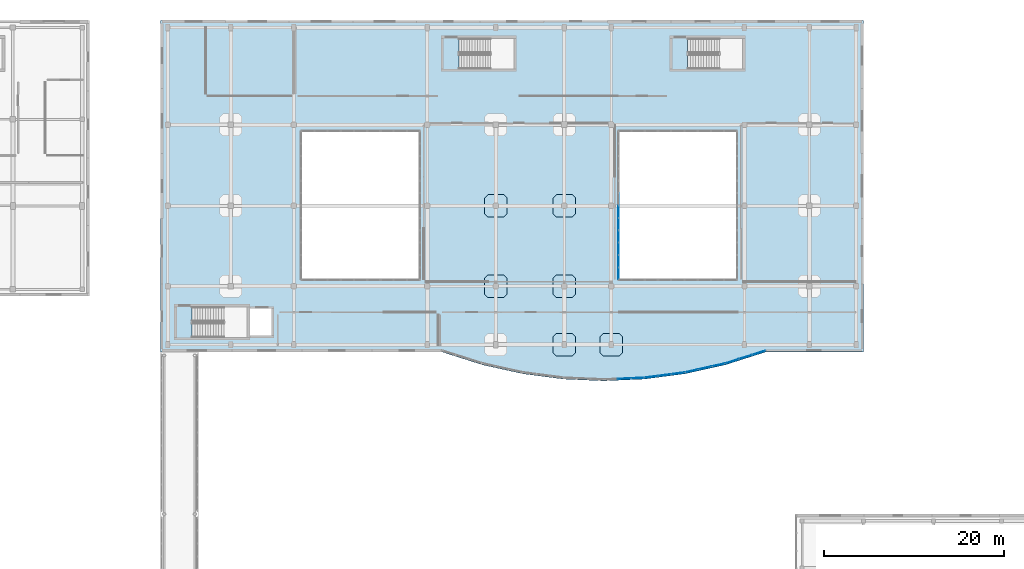
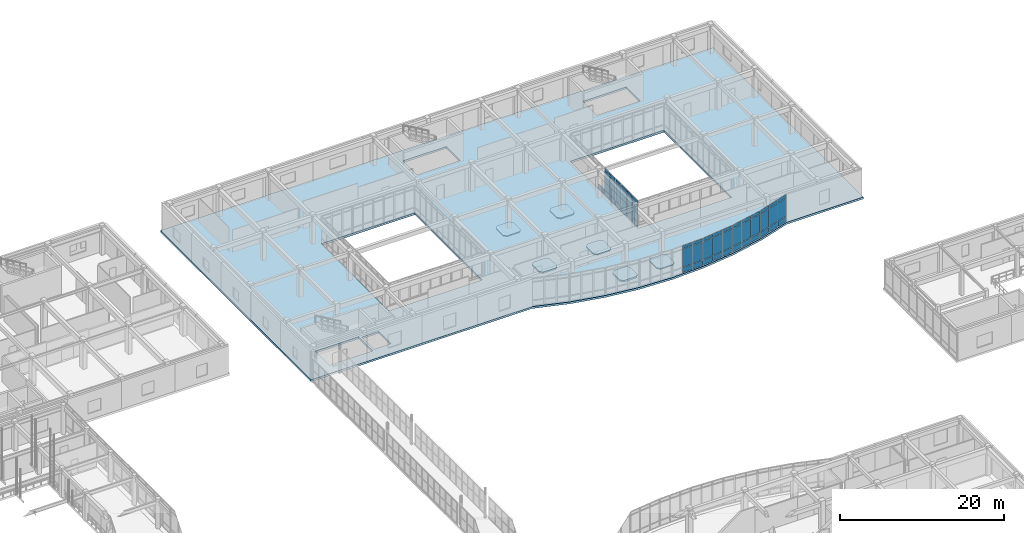
# One storey, part 112 of 142: 52 plates, 7 slabs, 6 elements without a shape of their own.
"""IFC4 building model written with IfcOpenShell, lengths in metres."""

import ifcopenshell
import ifcopenshell.guid

model = None  # the IFC model being written
_history = None  # IfcOwnerHistory: only IFC2X3 demands one
_inside = {}  # id of a spatial element -> (the spatial element, [elements in it])
_under = {}  # id of a project, library or spatial element -> (it, [spatial elements below it])
_declared = {}  # id of a project -> (the project, [libraries it declares])
_typed = {}  # id of a type object -> (the type object, [elements of that type])
_made_of = {}  # id of a material, layer set ... -> (it, [elements and type objects made of it])


def new_model(schema):
    """Start an empty IFC model of exactly this schema.

    Asked for "IFC4X3", IfcOpenShell would pick the latest addendum, in which some entities
    have other attributes; the version numbers below select the first issue.
    IFC2X3 requires an IfcOwnerHistory on every rooted entity: one is made here for all.
    """
    global model, _history
    if schema == "IFC4X3":
        model = ifcopenshell.file(schema_version=(4, 3, 0, 0))
    else:
        model = ifcopenshell.file(schema=schema)
    _inside.clear()
    _under.clear()
    _declared.clear()
    _typed.clear()
    _made_of.clear()
    _history = None
    if model.schema == "IFC2X3":
        org = make("IfcOrganization", Name="unknown")
        user = make(
            "IfcPersonAndOrganization",
            ThePerson=make("IfcPerson", FamilyName="unknown"),
            TheOrganization=org,
        )
        app = make(
            "IfcApplication",
            ApplicationDeveloper=org,
            Version="unknown",
            ApplicationFullName="unknown",
            ApplicationIdentifier="unknown",
        )
        _history = make(
            "IfcOwnerHistory",
            OwningUser=user,
            OwningApplication=app,
            ChangeAction="ADDED",
            CreationDate=0,
        )
    return model


def make(cls, **values):
    """One entity of the class cls with the attributes given. An attribute that is None is left unset."""
    return model.create_entity(
        cls, **{name: value for name, value in values.items() if value is not None}
    )


def rooted(cls, **values):
    """An entity with a GlobalId (a new one), such as an element, a storey or a relation."""
    return make(cls, GlobalId=ifcopenshell.guid.new(), OwnerHistory=_history, **values)


def si_unit(unit_type, name, prefix=None):
    """IfcSIUnit, for example si_unit("LENGTHUNIT", "METRE", prefix="MILLI")."""
    return make("IfcSIUnit", UnitType=unit_type, Prefix=prefix, Name=name)


def assignment(units):
    """IfcUnitAssignment: the units of a project."""
    return None if units is None else make("IfcUnitAssignment", Units=units)


def point(xyz):
    """IfcCartesianPoint."""
    return None if xyz is None else make("IfcCartesianPoint", Coordinates=xyz)


def direction(xyz):
    """IfcDirection."""
    return None if xyz is None else make("IfcDirection", DirectionRatios=xyz)


def frame(location, z_axis=None, x_axis=None):
    """IfcAxis2Placement3D, a coordinate frame: its origin and axes. An axis left out is left unset."""
    return make(
        "IfcAxis2Placement3D",
        Location=point(location),
        Axis=direction(z_axis),
        RefDirection=direction(x_axis),
    )


def frame_2d(location, x_axis=None):
    """IfcAxis2Placement2D, a coordinate frame in the plane: its origin and x axis."""
    return make(
        "IfcAxis2Placement2D", Location=point(location), RefDirection=direction(x_axis)
    )


def origin():
    """The frame at (0, 0, 0) with its axes left unset."""
    return frame((0.0, 0.0, 0.0))


def origin_2d():
    """The frame at (0, 0) in the plane with its x axis left unset."""
    return frame_2d((0.0, 0.0))


def place(relative_to, where):
    """IfcLocalPlacement: puts the frame where relative to a parent placement (None: the world)."""
    return make(
        "IfcLocalPlacement", PlacementRelTo=relative_to, RelativePlacement=where
    )


def context(
    kind, dimensions, precision=None, world=None, true_north=None, identifier=None
):
    """IfcGeometricRepresentationContext, for example the 3D "Model" context."""
    return make(
        "IfcGeometricRepresentationContext",
        ContextIdentifier=identifier,
        ContextType=kind,
        CoordinateSpaceDimension=dimensions,
        Precision=precision,
        WorldCoordinateSystem=world,
        TrueNorth=true_north,
    )


def subcontext(parent, identifier, kind, view, scale=None):
    """IfcGeometricRepresentationSubContext, for example "Body" below "Model"."""
    return make(
        "IfcGeometricRepresentationSubContext",
        ContextIdentifier=identifier,
        ContextType=kind,
        ParentContext=parent,
        TargetScale=scale,
        TargetView=view,
    )


def project(units=None, contexts=None):
    """IfcProject with its units and contexts."""
    return rooted(
        "IfcProject",
        Name="project",
        RepresentationContexts=contexts,
        UnitsInContext=assignment(units),
    )


def spatial(cls, under=None, at=None, **own):
    """A site, building, storey or space (cls), placed at a placement, below another one or the project."""
    s = rooted(cls, ObjectPlacement=at, **own)
    if under is not None:
        _under.setdefault(under.id(), (under, []))[1].append(s)
    return s


def polyline(points):
    """IfcPolyline through the points."""
    return make("IfcPolyline", Points=[point(p) for p in points])


def profile(cls, at=None, kind="AREA", **sizes):
    """A parametric profile (cls). Its sizes go by their IFC names, for example OverallWidth=200.0."""
    return make(cls, ProfileType=kind, Position=at, **sizes)


def rectangle(**sizes):
    """IfcRectangleProfileDef."""
    return profile("IfcRectangleProfileDef", **sizes)


def outline(outer, holes=None, kind="AREA"):
    """IfcArbitraryClosedProfileDef: a profile drawn as a closed curve; with holes, ...WithVoids."""
    if holes is None:
        return make("IfcArbitraryClosedProfileDef", ProfileType=kind, OuterCurve=outer)
    return make(
        "IfcArbitraryProfileDefWithVoids",
        ProfileType=kind,
        OuterCurve=outer,
        InnerCurves=holes,
    )


def extrude(swept, where, along, depth):
    """IfcExtrudedAreaSolid: the profile swept, set in the frame where, extruded along a direction by depth."""
    return make(
        "IfcExtrudedAreaSolid",
        SweptArea=swept,
        Position=where,
        ExtrudedDirection=direction(along),
        Depth=depth,
    )


def shape(context_of_items, identifier, shape_type, items):
    """IfcShapeRepresentation: the items that make up one representation, for example the "Body"."""
    return make(
        "IfcShapeRepresentation",
        ContextOfItems=context_of_items,
        RepresentationIdentifier=identifier,
        RepresentationType=shape_type,
        Items=items,
    )


def material(Name=None, Category=None):
    """IfcMaterial."""
    return make("IfcMaterial", Name=Name, Category=Category)


def layer(
    of_material, thickness, ventilated=None, Name=None, Category=None, Priority=None
):
    """IfcMaterialLayer: one layer of a wall or slab, of a material (None: an air gap)."""
    return make(
        "IfcMaterialLayer",
        Material=of_material,
        LayerThickness=thickness,
        IsVentilated=ventilated,
        Name=Name,
        Category=Category,
        Priority=Priority,
    )


def layer_set(layers, Name=None):
    """IfcMaterialLayerSet."""
    return make("IfcMaterialLayerSet", MaterialLayers=layers, LayerSetName=Name)


def made_of(thing, what):
    """Note that an element or type object is made of a material, layer set ...; save() writes the relation."""
    if what is not None:
        _made_of.setdefault(what.id(), (what, []))[1].append(thing)
    return thing


def type_object(cls, material=None, **own):
    """A type object (cls), such as IfcWallType, which elements share."""
    return made_of(rooted(cls, **own), material)


def element(
    cls,
    number,
    at=None,
    inside=None,
    cuts=None,
    type_object=None,
    material=None,
    context=None,
    identifier="Body",
    shape_type=None,
    held_by="IfcProductDefinitionShape",
    body=None,
    shapes=None,
    **own,
):
    """One element of the class cls, such as IfcWall. Its Tag is "e" and its number.

    at: its placement. inside: the storey or other place that contains it. cuts: it is an
    opening in that element (IfcRelVoidsElement). A single representation is given by context,
    identifier, shape_type and body (its items); several are given by shapes. held_by: the class
    of the entity that holds the representations. save() writes the other relations.
    """
    e = rooted(cls, Tag="e%d" % number, ObjectPlacement=at, **own)
    if body is not None:
        shapes = [shape(context, identifier, shape_type, body)]
    if shapes is not None:
        e.Representation = make(held_by, Representations=shapes)
    if inside is not None:
        _inside.setdefault(inside.id(), (inside, []))[1].append(e)
    if cuts is not None:
        rooted(
            "IfcRelVoidsElement", RelatingBuildingElement=cuts, RelatedOpeningElement=e
        )
    if type_object is not None:
        _typed.setdefault(type_object.id(), (type_object, []))[1].append(e)
    return made_of(e, material)


def aggregate(whole, parts):
    """IfcRelAggregates: a whole, such as a stair, and the parts it consists of."""
    return rooted("IfcRelAggregates", RelatingObject=whole, RelatedObjects=parts)


def save(model, path):
    """Write the relations noted so far, then the file.

    IfcRelAggregates (storeys below a building ...), IfcRelContainedInSpatialStructure (elements
    in a storey), IfcRelDefinesByType, IfcRelAssociatesMaterial and IfcRelDeclares: one each for
    every whole, place, type object, material and project.
    """
    for whole, parts in _under.values():
        aggregate(whole, parts)
    for where, things in _inside.values():
        rooted(
            "IfcRelContainedInSpatialStructure",
            RelatedElements=things,
            RelatingStructure=where,
        )
    for kind, things in _typed.values():
        rooted("IfcRelDefinesByType", RelatedObjects=things, RelatingType=kind)
    for what, things in _made_of.values():
        rooted("IfcRelAssociatesMaterial", RelatedObjects=things, RelatingMaterial=what)
    for by, libraries in _declared.values():
        rooted("IfcRelDeclares", RelatingContext=by, RelatedDefinitions=libraries)
    model.write(path)


model = new_model("IFC4")

# Units and contexts
model_context = context("Model", 3, precision=1e-05, world=origin(), true_north=direction((0.0, 1.0)))
body_context = subcontext(model_context, "Body", "Model", "MODEL_VIEW")
ifc_project = project(units=[si_unit("LENGTHUNIT", "METRE"), si_unit("AREAUNIT", "SQUARE_METRE"), si_unit("VOLUMEUNIT", "CUBIC_METRE"), si_unit("PLANEANGLEUNIT", "RADIAN"), si_unit("MASSUNIT", "GRAM", prefix="KILO")], contexts=[model_context])

# Site, building, storey
site_placement = place(None, origin())
site = spatial("IfcSite", under=ifc_project, at=site_placement, CompositionType="ELEMENT")
building_placement = place(site_placement, origin())
building = spatial("IfcBuilding", under=site, at=building_placement, Name="Valcora Specialist Clinic", CompositionType="ELEMENT")
storey_placement = place(building_placement, frame((0.0, 0.0, 5.10009765625)))
storey = spatial("IfcBuildingStorey", under=building, at=storey_placement, Name="L01", CompositionType="ELEMENT", Elevation=5.10009765625)

# Curtain wall, plates
ifc_material_1 = material(Name="Anodized Bronze Aluminium 6063-T6", Category="aluminium")
ifc_layer_1 = layer(ifc_material_1, 0.175048828125)
ifc_layer_set_1 = layer_set([ifc_layer_1], Name="Anodized Bronze Aluminium 6063-T6")
curtain_wall_type_1 = type_object("IfcCurtainWallType", Name="TY-CW-ARC44", PredefinedType="NOTDEFINED", material=ifc_layer_set_1)
curtain_wall_1_placement = place(storey_placement, origin())
curtain_wall_1 = element("IfcCurtainWall", 1, at=curtain_wall_1_placement, inside=storey, type_object=curtain_wall_type_1, Name="Curtain wall CW-L01-054", PredefinedType="NOTDEFINED")
ifc_material_2 = material(Name="Low-E Laminated Insulating Glass", Category="glass")
ifc_layer_2 = layer(ifc_material_2, 0.028076171875)
ifc_layer_set_2 = layer_set([ifc_layer_2], Name="Low-E Laminated Insulating Glass")
plate_type_1 = type_object("IfcPlateType", Name="TY-CWP-GLZ28", PredefinedType="CURTAIN_PANEL", material=ifc_layer_set_2)
plate_1_placement = place(storey_placement, frame((123.09716796875, 72.543701171875, 0.88232421875), z_axis=(0.0, 0.0, 1.0), x_axis=(-0.976278614432, -0.216518052372, 0.0)))
plate_1 = element("IfcPlate", 2, at=plate_1_placement, type_object=plate_type_1, Name="CW-ARC-44 panel 1.2", PredefinedType="CURTAIN_PANEL", context=body_context, shape_type="SweptSolid", body=[
    extrude(rectangle(XDim=1.4345703125, YDim=0.028076171875, at=origin_2d()), origin(), (0.0, 0.0, 1.0), 2.679931640625),
])
plate_2_placement = place(storey_placement, frame((123.09716796875, 72.543701171875, 3.62744140625), z_axis=(0.0, 0.0, 1.0), x_axis=(-0.976278614432, -0.216518052372, 0.0)))
plate_2 = element("IfcPlate", 3, at=plate_2_placement, type_object=plate_type_1, Name="CW-ARC-44 panel 1.3", PredefinedType="CURTAIN_PANEL", context=body_context, shape_type="SweptSolid", body=[
    extrude(rectangle(XDim=1.4345703125, YDim=0.028076171875, at=origin_2d()), origin(), (0.0, 0.0, 1.0), 0.452392578125),
])
plate_3_placement = place(storey_placement, frame((121.617431640625, 72.21533203125, 0.88232421875), z_axis=(0.0, 0.0, 1.0), x_axis=(-0.976278614432, -0.216518052372, 0.0)))
plate_3 = element("IfcPlate", 4, at=plate_3_placement, type_object=plate_type_1, Name="CW-ARC-44 panel 2.2", PredefinedType="CURTAIN_PANEL", context=body_context, shape_type="SweptSolid", body=[
    extrude(rectangle(XDim=1.467041015625, YDim=0.028076171875, at=origin_2d()), origin(), (0.0, 0.0, 1.0), 2.679931640625),
])
plate_4_placement = place(storey_placement, frame((121.617431640625, 72.21533203125, 3.62744140625), z_axis=(0.0, 0.0, 1.0), x_axis=(-0.976278614432, -0.216518052372, 0.0)))
plate_4 = element("IfcPlate", 5, at=plate_4_placement, type_object=plate_type_1, Name="CW-ARC-44 panel 2.3", PredefinedType="CURTAIN_PANEL", context=body_context, shape_type="SweptSolid", body=[
    extrude(rectangle(XDim=1.467041015625, YDim=0.028076171875, at=origin_2d()), origin(), (0.0, 0.0, 1.0), 0.452392578125),
])
plate_5_placement = place(storey_placement, frame((120.1376953125, 71.88720703125, 0.88232421875), z_axis=(0.0, 0.0, 1.0), x_axis=(-0.976278614432, -0.216518052372, 0.0)))
plate_5 = element("IfcPlate", 6, at=plate_5_placement, type_object=plate_type_1, Name="CW-ARC-44 panel 3.2", PredefinedType="CURTAIN_PANEL", context=body_context, shape_type="SweptSolid", body=[
    extrude(rectangle(XDim=1.4345703125, YDim=0.028076171875, at=origin_2d()), origin(), (0.0, 0.0, 1.0), 2.679931640625),
])
plate_6_placement = place(storey_placement, frame((120.1376953125, 71.88720703125, 3.62744140625), z_axis=(0.0, 0.0, 1.0), x_axis=(-0.976278614432, -0.216518052372, 0.0)))
plate_6 = element("IfcPlate", 7, at=plate_6_placement, type_object=plate_type_1, Name="CW-ARC-44 panel 3.3", PredefinedType="CURTAIN_PANEL", context=body_context, shape_type="SweptSolid", body=[
    extrude(rectangle(XDim=1.4345703125, YDim=0.028076171875, at=origin_2d()), origin(), (0.0, 0.0, 1.0), 0.452392578125),
])

curtain_wall_2_placement = place(storey_placement, origin())
curtain_wall_2 = element("IfcCurtainWall", 8, at=curtain_wall_2_placement, inside=storey, type_object=curtain_wall_type_1, Name="Curtain wall CW-L01-056", PredefinedType="NOTDEFINED")
plate_7_placement = place(storey_placement, frame((114.123046875, 71.096435546875, 0.88232421875), z_axis=(0.0, 0.0, 1.0), x_axis=(-0.999061821291, -0.043306780525, 0.0)))
plate_7 = element("IfcPlate", 9, at=plate_7_placement, type_object=plate_type_1, Name="CW-ARC-44 panel 1.2", PredefinedType="CURTAIN_PANEL", context=body_context, shape_type="SweptSolid", body=[
    extrude(rectangle(XDim=1.399658203125, YDim=0.028076171875, at=origin_2d()), origin(), (0.0, 0.0, 1.0), 2.679931640625),
])
plate_8_placement = place(storey_placement, frame((114.123046875, 71.096435546875, 3.62744140625), z_axis=(0.0, 0.0, 1.0), x_axis=(-0.999061821291, -0.043306780525, 0.0)))
plate_8 = element("IfcPlate", 10, at=plate_8_placement, type_object=plate_type_1, Name="CW-ARC-44 panel 1.3", PredefinedType="CURTAIN_PANEL", context=body_context, shape_type="SweptSolid", body=[
    extrude(rectangle(XDim=1.399658203125, YDim=0.028076171875, at=origin_2d()), origin(), (0.0, 0.0, 1.0), 0.452392578125),
])
plate_9_placement = place(storey_placement, frame((112.6435546875, 71.032470703125, 0.88232421875), z_axis=(0.0, 0.0, 1.0), x_axis=(-0.999061821291, -0.043306780525, 0.0)))
plate_9 = element("IfcPlate", 11, at=plate_9_placement, type_object=plate_type_1, Name="CW-ARC-44 panel 2.2", PredefinedType="CURTAIN_PANEL", context=body_context, shape_type="SweptSolid", body=[
    extrude(rectangle(XDim=1.43212890625, YDim=0.028076171875, at=origin_2d()), origin(), (0.0, 0.0, 1.0), 2.679931640625),
])
plate_10_placement = place(storey_placement, frame((112.6435546875, 71.032470703125, 3.62744140625), z_axis=(0.0, 0.0, 1.0), x_axis=(-0.999061821291, -0.043306780525, 0.0)))
plate_10 = element("IfcPlate", 12, at=plate_10_placement, type_object=plate_type_1, Name="CW-ARC-44 panel 2.3", PredefinedType="CURTAIN_PANEL", context=body_context, shape_type="SweptSolid", body=[
    extrude(rectangle(XDim=1.43212890625, YDim=0.028076171875, at=origin_2d()), origin(), (0.0, 0.0, 1.0), 0.452392578125),
])

ifc_layer_3 = layer(ifc_material_1, 0.175048828125)
ifc_layer_set_3 = layer_set([ifc_layer_3], Name="Anodized Bronze Aluminium 6063-T6")
curtain_wall_type_2 = type_object("IfcCurtainWallType", Name="TY-CW-CRT15", PredefinedType="NOTDEFINED", material=ifc_layer_set_3)
curtain_wall_3_placement = place(storey_placement, origin())
curtain_wall_3 = element("IfcCurtainWall", 13, at=curtain_wall_3_placement, inside=storey, type_object=curtain_wall_type_2, Name="Curtain wall CW-L01-084", PredefinedType="NOTDEFINED")
plate_11_placement = place(storey_placement, frame((112.0, 86.796142578125, 0.88232421875), z_axis=(0.0, 0.0, 1.0), x_axis=(0.0, -1.0, 0.0)))
plate_11 = element("IfcPlate", 14, at=plate_11_placement, type_object=plate_type_1, Name="CW-CRT-15 panel 1.2", PredefinedType="CURTAIN_PANEL", context=body_context, shape_type="SweptSolid", body=[
    extrude(rectangle(XDim=1.277587890625, YDim=0.028076171875, at=origin_2d()), origin(), (0.0, 0.0, 1.0), 2.679931640625),
])
plate_12_placement = place(storey_placement, frame((112.0, 86.796142578125, 3.62744140625), z_axis=(0.0, 0.0, 1.0), x_axis=(0.0, -1.0, 0.0)))
plate_12 = element("IfcPlate", 15, at=plate_12_placement, type_object=plate_type_1, Name="CW-CRT-15 panel 1.3", PredefinedType="CURTAIN_PANEL", context=body_context, shape_type="SweptSolid", body=[
    extrude(rectangle(XDim=1.277587890625, YDim=0.028076171875, at=origin_2d()), origin(), (0.0, 0.0, 1.0), 0.452392578125),
])
plate_13_placement = place(storey_placement, frame((112.0, 85.4375, 0.88232421875), z_axis=(0.0, 0.0, 1.0), x_axis=(0.0, -1.0, 0.0)))
plate_13 = element("IfcPlate", 16, at=plate_13_placement, type_object=plate_type_1, Name="CW-CRT-15 panel 2.2", PredefinedType="CURTAIN_PANEL", context=body_context, shape_type="SweptSolid", body=[
    extrude(rectangle(XDim=1.31005859375, YDim=0.028076171875, at=origin_2d()), origin(), (0.0, 0.0, 1.0), 2.679931640625),
])
plate_14_placement = place(storey_placement, frame((112.0, 85.4375, 3.62744140625), z_axis=(0.0, 0.0, 1.0), x_axis=(0.0, -1.0, 0.0)))
plate_14 = element("IfcPlate", 17, at=plate_14_placement, type_object=plate_type_1, Name="CW-CRT-15 panel 2.3", PredefinedType="CURTAIN_PANEL", context=body_context, shape_type="SweptSolid", body=[
    extrude(rectangle(XDim=1.31005859375, YDim=0.028076171875, at=origin_2d()), origin(), (0.0, 0.0, 1.0), 0.452392578125),
])
plate_15_placement = place(storey_placement, frame((112.0, 84.0625, 0.88232421875), z_axis=(0.0, 0.0, 1.0), x_axis=(0.0, -1.0, 0.0)))
plate_15 = element("IfcPlate", 18, at=plate_15_placement, type_object=plate_type_1, Name="CW-CRT-15 panel 3.2", PredefinedType="CURTAIN_PANEL", context=body_context, shape_type="SweptSolid", body=[
    extrude(rectangle(XDim=1.31005859375, YDim=0.028076171875, at=origin_2d()), origin(), (0.0, 0.0, 1.0), 2.679931640625),
])
plate_16_placement = place(storey_placement, frame((112.0, 84.0625, 3.62744140625), z_axis=(0.0, 0.0, 1.0), x_axis=(0.0, -1.0, 0.0)))
plate_16 = element("IfcPlate", 19, at=plate_16_placement, type_object=plate_type_1, Name="CW-CRT-15 panel 3.3", PredefinedType="CURTAIN_PANEL", context=body_context, shape_type="SweptSolid", body=[
    extrude(rectangle(XDim=1.31005859375, YDim=0.028076171875, at=origin_2d()), origin(), (0.0, 0.0, 1.0), 0.452392578125),
])
plate_17_placement = place(storey_placement, frame((112.0, 82.703857421875, 0.88232421875), z_axis=(0.0, 0.0, 1.0), x_axis=(0.0, -1.0, 0.0)))
plate_17 = element("IfcPlate", 20, at=plate_17_placement, type_object=plate_type_1, Name="CW-CRT-15 panel 4.2", PredefinedType="CURTAIN_PANEL", context=body_context, shape_type="SweptSolid", body=[
    extrude(rectangle(XDim=1.277587890625, YDim=0.028076171875, at=origin_2d()), origin(), (0.0, 0.0, 1.0), 2.679931640625),
])
plate_18_placement = place(storey_placement, frame((112.0, 82.703857421875, 3.62744140625), z_axis=(0.0, 0.0, 1.0), x_axis=(0.0, -1.0, 0.0)))
plate_18 = element("IfcPlate", 21, at=plate_18_placement, type_object=plate_type_1, Name="CW-CRT-15 panel 4.3", PredefinedType="CURTAIN_PANEL", context=body_context, shape_type="SweptSolid", body=[
    extrude(rectangle(XDim=1.277587890625, YDim=0.028076171875, at=origin_2d()), origin(), (0.0, 0.0, 1.0), 0.452392578125),
])

curtain_wall_4_placement = place(storey_placement, origin())
curtain_wall_4 = element("IfcCurtainWall", 22, at=curtain_wall_4_placement, inside=storey, type_object=curtain_wall_type_1, Name="Curtain wall CW-L01-053", PredefinedType="NOTDEFINED")
ifc_layer_4 = layer(ifc_material_2, 0.033935546875)
ifc_layer_set_4 = layer_set([ifc_layer_4], Name="Low-E Laminated Insulating Glass")
plate_type_2 = type_object("IfcPlateType", Name="TY-CWP-GLZ34", PredefinedType="CURTAIN_PANEL", material=ifc_layer_set_4)
plate_19_placement = place(storey_placement, frame((127.608642578125, 73.905517578125, 0.88232421875), z_axis=(0.0, 0.0, 1.0), x_axis=(-0.952916356972, -0.303233270958, 0.0)))
plate_19 = element("IfcPlate", 23, at=plate_19_placement, type_object=plate_type_2, Name="CW-ARC-44 panel 1.2", PredefinedType="CURTAIN_PANEL", context=body_context, shape_type="SweptSolid", body=[
    extrude(rectangle(XDim=1.482177734375, YDim=0.033935546875, at=origin_2d()), origin(), (0.0, 0.0, 1.0), 2.679931640625),
])
plate_20_placement = place(storey_placement, frame((127.608642578125, 73.905517578125, 3.62744140625), z_axis=(0.0, 0.0, 1.0), x_axis=(-0.952916356972, -0.303233270958, 0.0)))
plate_20 = element("IfcPlate", 24, at=plate_20_placement, type_object=plate_type_2, Name="CW-ARC-44 panel 1.3", PredefinedType="CURTAIN_PANEL", context=body_context, shape_type="SweptSolid", body=[
    extrude(rectangle(XDim=1.482177734375, YDim=0.033935546875, at=origin_2d()), origin(), (0.0, 0.0, 1.0), 0.452392578125),
])
plate_21_placement = place(storey_placement, frame((126.118896484375, 73.431396484375, 0.88232421875), z_axis=(0.0, 0.0, 1.0), x_axis=(-0.952916356972, -0.303233270958, 0.0)))
plate_21 = element("IfcPlate", 25, at=plate_21_placement, type_object=plate_type_2, Name="CW-ARC-44 panel 2.2", PredefinedType="CURTAIN_PANEL", context=body_context, shape_type="SweptSolid", body=[
    extrude(rectangle(XDim=1.5146484375, YDim=0.033935546875, at=origin_2d()), origin(), (0.0, 0.0, 1.0), 2.679931640625),
])
plate_22_placement = place(storey_placement, frame((126.118896484375, 73.431396484375, 3.62744140625), z_axis=(0.0, 0.0, 1.0), x_axis=(-0.952916356972, -0.303233270958, 0.0)))
plate_22 = element("IfcPlate", 26, at=plate_22_placement, type_object=plate_type_2, Name="CW-ARC-44 panel 2.3", PredefinedType="CURTAIN_PANEL", context=body_context, shape_type="SweptSolid", body=[
    extrude(rectangle(XDim=1.5146484375, YDim=0.033935546875, at=origin_2d()), origin(), (0.0, 0.0, 1.0), 0.452392578125),
])
plate_23_placement = place(storey_placement, frame((124.62890625, 72.95751953125, 0.88232421875), z_axis=(0.0, 0.0, 1.0), x_axis=(-0.952916356972, -0.303233270958, 0.0)))
plate_23 = element("IfcPlate", 27, at=plate_23_placement, type_object=plate_type_2, Name="CW-ARC-44 panel 3.2", PredefinedType="CURTAIN_PANEL", context=body_context, shape_type="SweptSolid", body=[
    extrude(rectangle(XDim=1.482177734375, YDim=0.033935546875, at=origin_2d()), origin(), (0.0, 0.0, 1.0), 2.679931640625),
])
plate_24_placement = place(storey_placement, frame((124.62890625, 72.95751953125, 3.62744140625), z_axis=(0.0, 0.0, 1.0), x_axis=(-0.952916356972, -0.303233270958, 0.0)))
plate_24 = element("IfcPlate", 28, at=plate_24_placement, type_object=plate_type_2, Name="CW-ARC-44 panel 3.3", PredefinedType="CURTAIN_PANEL", context=body_context, shape_type="SweptSolid", body=[
    extrude(rectangle(XDim=1.482177734375, YDim=0.033935546875, at=origin_2d()), origin(), (0.0, 0.0, 1.0), 0.452392578125),
])

curtain_wall_5_placement = place(storey_placement, origin())
curtain_wall_5 = element("IfcCurtainWall", 29, at=curtain_wall_5_placement, inside=storey, type_object=curtain_wall_type_1, Name="Curtain wall CW-L01-055", PredefinedType="NOTDEFINED")
plate_25_placement = place(storey_placement, frame((118.610107421875, 71.61767578125, 0.88232421875), z_axis=(0.0, 0.0, 1.0), x_axis=(-0.991514060421, -0.129999492259, 0.0)))
plate_25 = element("IfcPlate", 30, at=plate_25_placement, type_object=plate_type_2, Name="CW-ARC-44 panel 1.2", PredefinedType="CURTAIN_PANEL", context=body_context, shape_type="SweptSolid", body=[
    extrude(rectangle(XDim=1.410888671875, YDim=0.033935546875, at=origin_2d()), origin(), (0.0, 0.0, 1.0), 2.679931640625),
])
plate_26_placement = place(storey_placement, frame((118.610107421875, 71.61767578125, 3.62744140625), z_axis=(0.0, 0.0, 1.0), x_axis=(-0.991514060421, -0.129999492259, 0.0)))
plate_26 = element("IfcPlate", 31, at=plate_26_placement, type_object=plate_type_2, Name="CW-ARC-44 panel 1.3", PredefinedType="CURTAIN_PANEL", context=body_context, shape_type="SweptSolid", body=[
    extrude(rectangle(XDim=1.410888671875, YDim=0.033935546875, at=origin_2d()), origin(), (0.0, 0.0, 1.0), 0.452392578125),
])
plate_27_placement = place(storey_placement, frame((117.130615234375, 71.423828125, 0.88232421875), z_axis=(0.0, 0.0, 1.0), x_axis=(-0.991514060421, -0.129999492259, 0.0)))
plate_27 = element("IfcPlate", 32, at=plate_27_placement, type_object=plate_type_2, Name="CW-ARC-44 panel 2.2", PredefinedType="CURTAIN_PANEL", context=body_context, shape_type="SweptSolid", body=[
    extrude(rectangle(XDim=1.443359375, YDim=0.033935546875, at=origin_2d()), origin(), (0.0, 0.0, 1.0), 2.679931640625),
])
plate_28_placement = place(storey_placement, frame((117.130615234375, 71.423828125, 3.62744140625), z_axis=(0.0, 0.0, 1.0), x_axis=(-0.991514060421, -0.129999492259, 0.0)))
plate_28 = element("IfcPlate", 33, at=plate_28_placement, type_object=plate_type_2, Name="CW-ARC-44 panel 2.3", PredefinedType="CURTAIN_PANEL", context=body_context, shape_type="SweptSolid", body=[
    extrude(rectangle(XDim=1.443359375, YDim=0.033935546875, at=origin_2d()), origin(), (0.0, 0.0, 1.0), 0.452392578125),
])
plate_29_placement = place(storey_placement, frame((115.65087890625, 71.229736328125, 0.88232421875), z_axis=(0.0, 0.0, 1.0), x_axis=(-0.991514060421, -0.129999492259, 0.0)))
plate_29 = element("IfcPlate", 34, at=plate_29_placement, type_object=plate_type_2, Name="CW-ARC-44 panel 3.2", PredefinedType="CURTAIN_PANEL", context=body_context, shape_type="SweptSolid", body=[
    extrude(rectangle(XDim=1.410888671875, YDim=0.033935546875, at=origin_2d()), origin(), (0.0, 0.0, 1.0), 2.679931640625),
])
plate_30_placement = place(storey_placement, frame((115.65087890625, 71.229736328125, 3.62744140625), z_axis=(0.0, 0.0, 1.0), x_axis=(-0.991514060421, -0.129999492259, 0.0)))
plate_30 = element("IfcPlate", 35, at=plate_30_placement, type_object=plate_type_2, Name="CW-ARC-44 panel 3.3", PredefinedType="CURTAIN_PANEL", context=body_context, shape_type="SweptSolid", body=[
    extrude(rectangle(XDim=1.410888671875, YDim=0.033935546875, at=origin_2d()), origin(), (0.0, 0.0, 1.0), 0.452392578125),
])

curtain_wall_6_placement = place(storey_placement, origin())
curtain_wall_6 = element("IfcCurtainWall", 36, at=curtain_wall_6_placement, inside=storey, type_object=curtain_wall_type_2, Name="Curtain wall CW-L01-083", PredefinedType="NOTDEFINED")
plate_31_placement = place(storey_placement, frame((112.0, 89.5625, 0.88232421875), z_axis=(0.0, 0.0, 1.0), x_axis=(0.0, -1.0, 0.0)))
plate_31 = element("IfcPlate", 37, at=plate_31_placement, type_object=plate_type_2, Name="CW-CRT-15 panel 3.2", PredefinedType="CURTAIN_PANEL", context=body_context, shape_type="SweptSolid", body=[
    extrude(rectangle(XDim=1.31005859375, YDim=0.033935546875, at=origin_2d()), origin(), (0.0, 0.0, 1.0), 2.679931640625),
])
plate_32_placement = place(storey_placement, frame((112.0, 89.5625, 3.62744140625), z_axis=(0.0, 0.0, 1.0), x_axis=(0.0, -1.0, 0.0)))
plate_32 = element("IfcPlate", 38, at=plate_32_placement, type_object=plate_type_2, Name="CW-CRT-15 panel 3.3", PredefinedType="CURTAIN_PANEL", context=body_context, shape_type="SweptSolid", body=[
    extrude(rectangle(XDim=1.31005859375, YDim=0.033935546875, at=origin_2d()), origin(), (0.0, 0.0, 1.0), 0.452392578125),
])
plate_33_placement = place(storey_placement, frame((112.0, 88.203857421875, 0.88232421875), z_axis=(0.0, 0.0, 1.0), x_axis=(0.0, -1.0, 0.0)))
plate_33 = element("IfcPlate", 39, at=plate_33_placement, type_object=plate_type_2, Name="CW-CRT-15 panel 4.2", PredefinedType="CURTAIN_PANEL", context=body_context, shape_type="SweptSolid", body=[
    extrude(rectangle(XDim=1.277587890625, YDim=0.033935546875, at=origin_2d()), origin(), (0.0, 0.0, 1.0), 2.679931640625),
])
plate_34_placement = place(storey_placement, frame((112.0, 88.203857421875, 3.62744140625), z_axis=(0.0, 0.0, 1.0), x_axis=(0.0, -1.0, 0.0)))
plate_34 = element("IfcPlate", 40, at=plate_34_placement, type_object=plate_type_2, Name="CW-CRT-15 panel 4.3", PredefinedType="CURTAIN_PANEL", context=body_context, shape_type="SweptSolid", body=[
    extrude(rectangle(XDim=1.277587890625, YDim=0.033935546875, at=origin_2d()), origin(), (0.0, 0.0, 1.0), 0.452392578125),
])

# Plate
ifc_material_3 = material(Name="Insulated Spandrel Panel")
ifc_layer_5 = layer(ifc_material_3, 0.044921875)
ifc_layer_set_5 = layer_set([ifc_layer_5], Name="Insulated Spandrel Panel")
plate_type_3 = type_object("IfcPlateType", Name="TY-CWP-SPN45", PredefinedType="SHEET", material=ifc_layer_set_5)
plate_35_placement = place(storey_placement, frame((127.608642578125, 73.905517578125, 0.06494140625), z_axis=(0.0, 0.0, 1.0), x_axis=(-0.952916356972, -0.303233270958, 0.0)))
plate_35 = element("IfcPlate", 41, at=plate_35_placement, type_object=plate_type_3, Name="CW-ARC-44 panel 1.1", PredefinedType="SHEET", context=body_context, shape_type="SweptSolid", body=[
    extrude(rectangle(XDim=1.482177734375, YDim=0.044921875, at=origin_2d()), origin(), (0.0, 0.0, 1.0), 0.75244140625),
])

plate_36_placement = place(storey_placement, frame((126.118896484375, 73.431396484375, 0.06494140625), z_axis=(0.0, 0.0, 1.0), x_axis=(-0.952916356972, -0.303233270958, 0.0)))
plate_36 = element("IfcPlate", 42, at=plate_36_placement, type_object=plate_type_3, Name="CW-ARC-44 panel 2.1", PredefinedType="SHEET", context=body_context, shape_type="SweptSolid", body=[
    extrude(rectangle(XDim=1.5146484375, YDim=0.044921875, at=origin_2d()), origin(), (0.0, 0.0, 1.0), 0.75244140625),
])

plate_37_placement = place(storey_placement, frame((124.62890625, 72.95751953125, 0.06494140625), z_axis=(0.0, 0.0, 1.0), x_axis=(-0.952916356972, -0.303233270958, 0.0)))
plate_37 = element("IfcPlate", 43, at=plate_37_placement, type_object=plate_type_3, Name="CW-ARC-44 panel 3.1", PredefinedType="SHEET", context=body_context, shape_type="SweptSolid", body=[
    extrude(rectangle(XDim=1.482177734375, YDim=0.044921875, at=origin_2d()), origin(), (0.0, 0.0, 1.0), 0.75244140625),
])

aggregate(curtain_wall_4, [plate_35, plate_19, plate_20, plate_36, plate_21, plate_22, plate_37, plate_23, plate_24])

plate_38_placement = place(storey_placement, frame((123.09716796875, 72.543701171875, 0.06494140625), z_axis=(0.0, 0.0, 1.0), x_axis=(-0.976278614432, -0.216518052372, 0.0)))
plate_38 = element("IfcPlate", 44, at=plate_38_placement, type_object=plate_type_3, Name="CW-ARC-44 panel 1.1", PredefinedType="SHEET", context=body_context, shape_type="SweptSolid", body=[
    extrude(rectangle(XDim=1.4345703125, YDim=0.044921875, at=origin_2d()), origin(), (0.0, 0.0, 1.0), 0.75244140625),
])

plate_39_placement = place(storey_placement, frame((121.617431640625, 72.21533203125, 0.06494140625), z_axis=(0.0, 0.0, 1.0), x_axis=(-0.976278614432, -0.216518052372, 0.0)))
plate_39 = element("IfcPlate", 45, at=plate_39_placement, type_object=plate_type_3, Name="CW-ARC-44 panel 2.1", PredefinedType="SHEET", context=body_context, shape_type="SweptSolid", body=[
    extrude(rectangle(XDim=1.467041015625, YDim=0.044921875, at=origin_2d()), origin(), (0.0, 0.0, 1.0), 0.75244140625),
])

plate_40_placement = place(storey_placement, frame((120.1376953125, 71.88720703125, 0.06494140625), z_axis=(0.0, 0.0, 1.0), x_axis=(-0.976278614432, -0.216518052372, 0.0)))
plate_40 = element("IfcPlate", 46, at=plate_40_placement, type_object=plate_type_3, Name="CW-ARC-44 panel 3.1", PredefinedType="SHEET", context=body_context, shape_type="SweptSolid", body=[
    extrude(rectangle(XDim=1.4345703125, YDim=0.044921875, at=origin_2d()), origin(), (0.0, 0.0, 1.0), 0.75244140625),
])

aggregate(curtain_wall_1, [plate_38, plate_1, plate_2, plate_39, plate_3, plate_4, plate_40, plate_5, plate_6])

plate_41_placement = place(storey_placement, frame((118.610107421875, 71.61767578125, 0.06494140625), z_axis=(0.0, 0.0, 1.0), x_axis=(-0.991514060421, -0.129999492259, 0.0)))
plate_41 = element("IfcPlate", 47, at=plate_41_placement, type_object=plate_type_3, Name="CW-ARC-44 panel 1.1", PredefinedType="SHEET", context=body_context, shape_type="SweptSolid", body=[
    extrude(rectangle(XDim=1.410888671875, YDim=0.044921875, at=origin_2d()), origin(), (0.0, 0.0, 1.0), 0.75244140625),
])

plate_42_placement = place(storey_placement, frame((117.130615234375, 71.423828125, 0.06494140625), z_axis=(0.0, 0.0, 1.0), x_axis=(-0.991514060421, -0.129999492259, 0.0)))
plate_42 = element("IfcPlate", 48, at=plate_42_placement, type_object=plate_type_3, Name="CW-ARC-44 panel 2.1", PredefinedType="SHEET", context=body_context, shape_type="SweptSolid", body=[
    extrude(rectangle(XDim=1.443359375, YDim=0.044921875, at=origin_2d()), origin(), (0.0, 0.0, 1.0), 0.75244140625),
])

plate_43_placement = place(storey_placement, frame((115.65087890625, 71.229736328125, 0.06494140625), z_axis=(0.0, 0.0, 1.0), x_axis=(-0.991514060421, -0.129999492259, 0.0)))
plate_43 = element("IfcPlate", 49, at=plate_43_placement, type_object=plate_type_3, Name="CW-ARC-44 panel 3.1", PredefinedType="SHEET", context=body_context, shape_type="SweptSolid", body=[
    extrude(rectangle(XDim=1.410888671875, YDim=0.044921875, at=origin_2d()), origin(), (0.0, 0.0, 1.0), 0.75244140625),
])

aggregate(curtain_wall_5, [plate_41, plate_25, plate_26, plate_42, plate_27, plate_28, plate_43, plate_29, plate_30])

plate_44_placement = place(storey_placement, frame((114.123046875, 71.096435546875, 0.06494140625), z_axis=(0.0, 0.0, 1.0), x_axis=(-0.999061821291, -0.043306780525, 0.0)))
plate_44 = element("IfcPlate", 50, at=plate_44_placement, type_object=plate_type_3, Name="CW-ARC-44 panel 1.1", PredefinedType="SHEET", context=body_context, shape_type="SweptSolid", body=[
    extrude(rectangle(XDim=1.399658203125, YDim=0.044921875, at=origin_2d()), origin(), (0.0, 0.0, 1.0), 0.75244140625),
])

plate_45_placement = place(storey_placement, frame((112.6435546875, 71.032470703125, 0.06494140625), z_axis=(0.0, 0.0, 1.0), x_axis=(-0.999061821291, -0.043306780525, 0.0)))
plate_45 = element("IfcPlate", 51, at=plate_45_placement, type_object=plate_type_3, Name="CW-ARC-44 panel 2.1", PredefinedType="SHEET", context=body_context, shape_type="SweptSolid", body=[
    extrude(rectangle(XDim=1.43212890625, YDim=0.044921875, at=origin_2d()), origin(), (0.0, 0.0, 1.0), 0.75244140625),
])

aggregate(curtain_wall_2, [plate_44, plate_7, plate_8, plate_45, plate_9, plate_10])

plate_46_placement = place(storey_placement, frame((112.0, 90.9375, 0.06494140625), z_axis=(0.0, 0.0, 1.0), x_axis=(0.0, -1.0, 0.0)))
plate_46 = element("IfcPlate", 52, at=plate_46_placement, type_object=plate_type_3, Name="CW-CRT-15 panel 2.1", PredefinedType="SHEET", context=body_context, shape_type="SweptSolid", body=[
    extrude(rectangle(XDim=1.31005859375, YDim=0.044921875, at=origin_2d()), origin(), (0.0, 0.0, 1.0), 0.75244140625),
])

plate_47_placement = place(storey_placement, frame((112.0, 89.5625, 0.06494140625), z_axis=(0.0, 0.0, 1.0), x_axis=(0.0, -1.0, 0.0)))
plate_47 = element("IfcPlate", 53, at=plate_47_placement, type_object=plate_type_3, Name="CW-CRT-15 panel 3.1", PredefinedType="SHEET", context=body_context, shape_type="SweptSolid", body=[
    extrude(rectangle(XDim=1.31005859375, YDim=0.044921875, at=origin_2d()), origin(), (0.0, 0.0, 1.0), 0.75244140625),
])

plate_48_placement = place(storey_placement, frame((112.0, 88.203857421875, 0.06494140625), z_axis=(0.0, 0.0, 1.0), x_axis=(0.0, -1.0, 0.0)))
plate_48 = element("IfcPlate", 54, at=plate_48_placement, type_object=plate_type_3, Name="CW-CRT-15 panel 4.1", PredefinedType="SHEET", context=body_context, shape_type="SweptSolid", body=[
    extrude(rectangle(XDim=1.277587890625, YDim=0.044921875, at=origin_2d()), origin(), (0.0, 0.0, 1.0), 0.75244140625),
])

aggregate(curtain_wall_6, [plate_46, plate_47, plate_31, plate_32, plate_48, plate_33, plate_34])

plate_49_placement = place(storey_placement, frame((112.0, 86.796142578125, 0.06494140625), z_axis=(0.0, 0.0, 1.0), x_axis=(0.0, -1.0, 0.0)))
plate_49 = element("IfcPlate", 55, at=plate_49_placement, type_object=plate_type_3, Name="CW-CRT-15 panel 1.1", PredefinedType="SHEET", context=body_context, shape_type="SweptSolid", body=[
    extrude(rectangle(XDim=1.277587890625, YDim=0.044921875, at=origin_2d()), origin(), (0.0, 0.0, 1.0), 0.75244140625),
])

plate_50_placement = place(storey_placement, frame((112.0, 85.4375, 0.06494140625), z_axis=(0.0, 0.0, 1.0), x_axis=(0.0, -1.0, 0.0)))
plate_50 = element("IfcPlate", 56, at=plate_50_placement, type_object=plate_type_3, Name="CW-CRT-15 panel 2.1", PredefinedType="SHEET", context=body_context, shape_type="SweptSolid", body=[
    extrude(rectangle(XDim=1.31005859375, YDim=0.044921875, at=origin_2d()), origin(), (0.0, 0.0, 1.0), 0.75244140625),
])

plate_51_placement = place(storey_placement, frame((112.0, 84.0625, 0.06494140625), z_axis=(0.0, 0.0, 1.0), x_axis=(0.0, -1.0, 0.0)))
plate_51 = element("IfcPlate", 57, at=plate_51_placement, type_object=plate_type_3, Name="CW-CRT-15 panel 3.1", PredefinedType="SHEET", context=body_context, shape_type="SweptSolid", body=[
    extrude(rectangle(XDim=1.31005859375, YDim=0.044921875, at=origin_2d()), origin(), (0.0, 0.0, 1.0), 0.75244140625),
])

plate_52_placement = place(storey_placement, frame((112.0, 82.703857421875, 0.06494140625), z_axis=(0.0, 0.0, 1.0), x_axis=(0.0, -1.0, 0.0)))
plate_52 = element("IfcPlate", 58, at=plate_52_placement, type_object=plate_type_3, Name="CW-CRT-15 panel 4.1", PredefinedType="SHEET", context=body_context, shape_type="SweptSolid", body=[
    extrude(rectangle(XDim=1.277587890625, YDim=0.044921875, at=origin_2d()), origin(), (0.0, 0.0, 1.0), 0.75244140625),
])

aggregate(curtain_wall_3, [plate_49, plate_11, plate_12, plate_50, plate_13, plate_14, plate_51, plate_15, plate_16, plate_52, plate_17, plate_18])

# Slabs
ifc_material_4 = material(Name="Concrete C40/50", Category="concrete")
ifc_layer_6 = layer(ifc_material_4, 0.175048828125)
ifc_layer_set_6 = layer_set([ifc_layer_6], Name="Concrete C40/50")
slab_type_1 = type_object("IfcSlabType", Name="TY-SL-DP175", PredefinedType="FLOOR", material=ifc_layer_set_6)
slab_1_placement = place(storey_placement, frame((0.0, 0.0, -0.465087890625)))
element("IfcSlab", 59, at=slab_1_placement, inside=storey, type_object=slab_type_1, Name="V4 column drop panel SL-L01-038", PredefinedType="FLOOR", context=body_context, shape_type="SweptSolid", body=[
    extrude(outline(polyline([(97.52001953125, 88.949951171875), (99.280029296875, 88.949951171875), (99.64990234375, 89.320068359375), (99.64990234375, 91.080078125), (99.280029296875, 91.449951171875), (97.52001953125, 91.449951171875), (97.14990234375, 91.080078125), (97.14990234375, 89.320068359375), (97.52001953125, 88.949951171875)])), origin(), (0.0, 0.0, 1.0), 0.175048828125),
])
slab_2_placement = place(storey_placement, frame((0.0, 0.0, -0.465087890625)))
element("IfcSlab", 60, at=slab_2_placement, inside=storey, type_object=slab_type_1, Name="V4 column drop panel SL-L01-041", PredefinedType="FLOOR", context=body_context, shape_type="SweptSolid", body=[
    extrude(outline(polyline([(105.1201171875, 80.050048828125), (106.8798828125, 80.050048828125), (107.25, 80.419921875), (107.25, 82.179931640625), (106.8798828125, 82.550048828125), (105.1201171875, 82.550048828125), (104.75, 82.179931640625), (104.75, 80.419921875), (105.1201171875, 80.050048828125)])), origin(), (0.0, 0.0, 1.0), 0.175048828125),
])
slab_3_placement = place(storey_placement, frame((0.0, 0.0, -0.465087890625)))
element("IfcSlab", 61, at=slab_3_placement, inside=storey, type_object=slab_type_1, Name="V4 column drop panel SL-L01-044", PredefinedType="FLOOR", context=body_context, shape_type="SweptSolid", body=[
    extrude(outline(polyline([(110.320068359375, 73.550048828125), (112.080078125, 73.550048828125), (112.449951171875, 73.919921875), (112.449951171875, 75.679931640625), (112.080078125, 76.050048828125), (110.320068359375, 76.050048828125), (109.949951171875, 75.679931640625), (109.949951171875, 73.919921875), (110.320068359375, 73.550048828125)])), origin(), (0.0, 0.0, 1.0), 0.175048828125),
])
ifc_layer_7 = layer(ifc_material_4, 0.18994140625)
ifc_layer_set_7 = layer_set([ifc_layer_7], Name="Concrete C40/50")
slab_type_2 = type_object("IfcSlabType", Name="TY-SL-DP190", PredefinedType="FLOOR", material=ifc_layer_set_7)
slab_4_placement = place(storey_placement, frame((0.0, 0.0, -0.47998046875)))
element("IfcSlab", 62, at=slab_4_placement, inside=storey, type_object=slab_type_2, Name="V4 column drop panel SL-L01-042", PredefinedType="FLOOR", context=body_context, shape_type="SweptSolid", body=[
    extrude(outline(polyline([(105.1201171875, 88.949951171875), (106.8798828125, 88.949951171875), (107.25, 89.320068359375), (107.25, 91.080078125), (106.8798828125, 91.449951171875), (105.1201171875, 91.449951171875), (104.75, 91.080078125), (104.75, 89.320068359375), (105.1201171875, 88.949951171875)])), origin(), (0.0, 0.0, 1.0), 0.18994140625),
])
ifc_layer_8 = layer(ifc_material_4, 0.235107421875)
ifc_layer_set_8 = layer_set([ifc_layer_8], Name="Concrete C40/50")
slab_type_3 = type_object("IfcSlabType", Name="TY-SL-DP235", PredefinedType="FLOOR", material=ifc_layer_set_8)
slab_5_placement = place(storey_placement, frame((0.0, 0.0, -0.525146484375)))
element("IfcSlab", 63, at=slab_5_placement, inside=storey, type_object=slab_type_3, Name="V4 column drop panel SL-L01-037", PredefinedType="FLOOR", context=body_context, shape_type="SweptSolid", body=[
    extrude(outline(polyline([(97.52001953125, 80.050048828125), (99.280029296875, 80.050048828125), (99.64990234375, 80.419921875), (99.64990234375, 82.179931640625), (99.280029296875, 82.550048828125), (97.52001953125, 82.550048828125), (97.14990234375, 82.179931640625), (97.14990234375, 80.419921875), (97.52001953125, 80.050048828125)])), origin(), (0.0, 0.0, 1.0), 0.235107421875),
])
slab_6_placement = place(storey_placement, frame((0.0, 0.0, -0.525146484375)))
element("IfcSlab", 64, at=slab_6_placement, inside=storey, type_object=slab_type_3, Name="V4 column drop panel SL-L01-040", PredefinedType="FLOOR", context=body_context, shape_type="SweptSolid", body=[
    extrude(outline(polyline([(105.1201171875, 73.550048828125), (106.8798828125, 73.550048828125), (107.25, 73.919921875), (107.25, 75.679931640625), (106.8798828125, 76.050048828125), (105.1201171875, 76.050048828125), (104.75, 75.679931640625), (104.75, 73.919921875), (105.1201171875, 73.550048828125)])), origin(), (0.0, 0.0, 1.0), 0.235107421875),
])
ifc_layer_9 = layer(ifc_material_4, 0.2900390625)
ifc_layer_set_9 = layer_set([ifc_layer_9], Name="Concrete C40/50")
slab_type_4 = type_object("IfcSlabType", Name="TY-SL-FLR290", PredefinedType="FLOOR", material=ifc_layer_set_9)
slab_7_placement = place(storey_placement, frame((0.0, 0.0, -0.2900390625)))
element("IfcSlab", 65, at=slab_7_placement, inside=storey, type_object=slab_type_4, Name="V4 L01 structural slab SL-L01-010", PredefinedType="FLOOR", context=body_context, shape_type="SweptSolid", body=[
    extrude(outline(polyline([(61.199951171875, 74.0), (92.39990234375, 74.0), (96.89990234375, 72.568115234375), (101.39990234375, 71.570068359375), (105.89990234375, 70.97998046875), (110.39990234375, 70.784912109375), (114.89990234375, 70.97998046875), (119.39990234375, 71.570068359375), (123.89990234375, 72.568115234375), (128.39990234375, 74.0), (139.199951171875, 74.0), (139.199951171875, 110.800048828125), (61.199951171875, 110.800048828125), (61.199951171875, 74.0)]), holes=[polyline([(76.800048828125, 82.0), (90.0, 82.0), (90.0, 98.5), (76.800048828125, 98.5), (76.800048828125, 82.0)]), polyline([(112.0, 82.0), (125.199951171875, 82.0), (125.199951171875, 98.5), (112.0, 98.5), (112.0, 82.0)]), polyline([(64.70068359375, 75.60009765625), (70.800048828125, 75.60009765625), (70.800048828125, 79.0), (64.70068359375, 79.0), (64.70068359375, 75.60009765625)]), polyline([(71.1201171875, 75.800048828125), (73.52001953125, 75.800048828125), (73.52001953125, 78.800048828125), (71.1201171875, 78.800048828125), (71.1201171875, 75.800048828125)]), polyline([(94.30078125, 105.39990234375), (100.39990234375, 105.39990234375), (100.39990234375, 108.800048828125), (94.30078125, 108.800048828125), (94.30078125, 105.39990234375)]), polyline([(119.70068359375, 105.39990234375), (125.800048828125, 105.39990234375), (125.800048828125, 108.800048828125), (119.70068359375, 108.800048828125), (119.70068359375, 105.39990234375)])]), origin(), (0.0, 0.0, 1.0), 0.2900390625),
])

save(model, "model.ifc")
